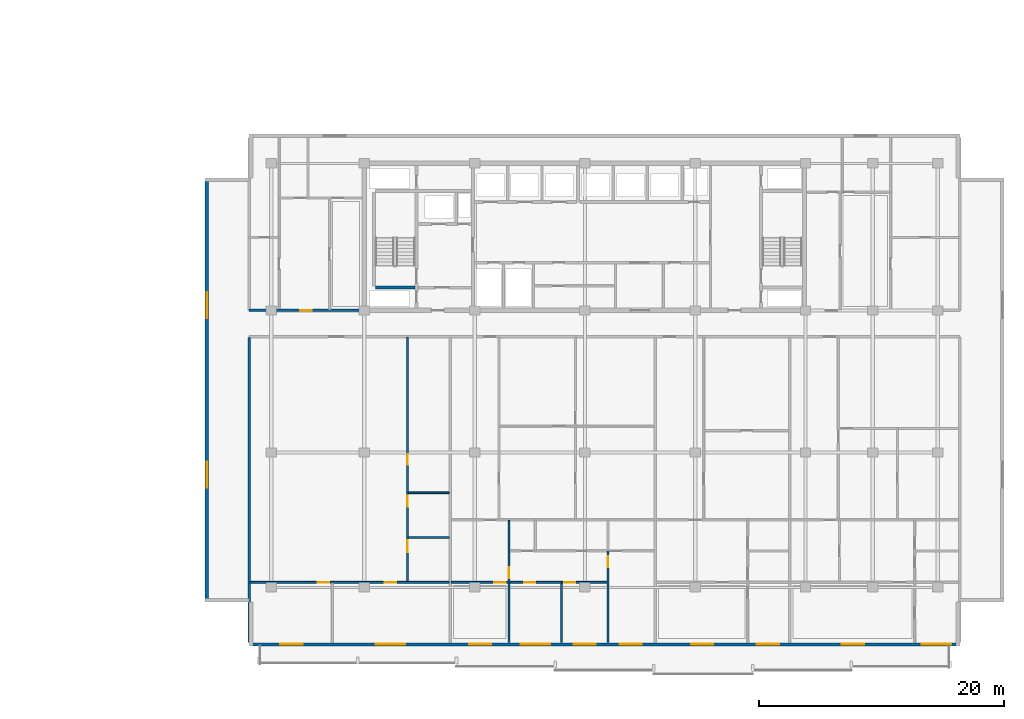
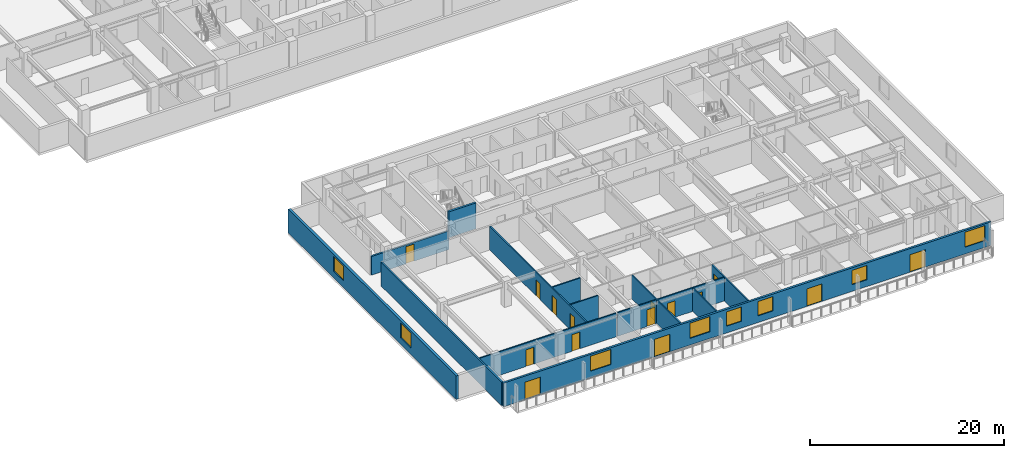
# One storey, part 4 of 22: 15 doors, 13 walls, 8 windows, 23 openings.
"""IFC4 building model written with IfcOpenShell, lengths in metres."""

import ifcopenshell
import ifcopenshell.guid

model = None  # the IFC model being written
_history = None  # IfcOwnerHistory: only IFC2X3 demands one
_inside = {}  # id of a spatial element -> (the spatial element, [elements in it])
_under = {}  # id of a project, library or spatial element -> (it, [spatial elements below it])
_declared = {}  # id of a project -> (the project, [libraries it declares])
_typed = {}  # id of a type object -> (the type object, [elements of that type])
_made_of = {}  # id of a material, layer set ... -> (it, [elements and type objects made of it])


def new_model(schema):
    """Start an empty IFC model of exactly this schema.

    Asked for "IFC4X3", IfcOpenShell would pick the latest addendum, in which some entities
    have other attributes; the version numbers below select the first issue.
    IFC2X3 requires an IfcOwnerHistory on every rooted entity: one is made here for all.
    """
    global model, _history
    if schema == "IFC4X3":
        model = ifcopenshell.file(schema_version=(4, 3, 0, 0))
    else:
        model = ifcopenshell.file(schema=schema)
    _inside.clear()
    _under.clear()
    _declared.clear()
    _typed.clear()
    _made_of.clear()
    _history = None
    if model.schema == "IFC2X3":
        org = make("IfcOrganization", Name="unknown")
        user = make(
            "IfcPersonAndOrganization",
            ThePerson=make("IfcPerson", FamilyName="unknown"),
            TheOrganization=org,
        )
        app = make(
            "IfcApplication",
            ApplicationDeveloper=org,
            Version="unknown",
            ApplicationFullName="unknown",
            ApplicationIdentifier="unknown",
        )
        _history = make(
            "IfcOwnerHistory",
            OwningUser=user,
            OwningApplication=app,
            ChangeAction="ADDED",
            CreationDate=0,
        )
    return model


def make(cls, **values):
    """One entity of the class cls with the attributes given. An attribute that is None is left unset."""
    return model.create_entity(
        cls, **{name: value for name, value in values.items() if value is not None}
    )


def rooted(cls, **values):
    """An entity with a GlobalId (a new one), such as an element, a storey or a relation."""
    return make(cls, GlobalId=ifcopenshell.guid.new(), OwnerHistory=_history, **values)


def si_unit(unit_type, name, prefix=None):
    """IfcSIUnit, for example si_unit("LENGTHUNIT", "METRE", prefix="MILLI")."""
    return make("IfcSIUnit", UnitType=unit_type, Prefix=prefix, Name=name)


def assignment(units):
    """IfcUnitAssignment: the units of a project."""
    return None if units is None else make("IfcUnitAssignment", Units=units)


def point(xyz):
    """IfcCartesianPoint."""
    return None if xyz is None else make("IfcCartesianPoint", Coordinates=xyz)


def direction(xyz):
    """IfcDirection."""
    return None if xyz is None else make("IfcDirection", DirectionRatios=xyz)


def frame(location, z_axis=None, x_axis=None):
    """IfcAxis2Placement3D, a coordinate frame: its origin and axes. An axis left out is left unset."""
    return make(
        "IfcAxis2Placement3D",
        Location=point(location),
        Axis=direction(z_axis),
        RefDirection=direction(x_axis),
    )


def frame_2d(location, x_axis=None):
    """IfcAxis2Placement2D, a coordinate frame in the plane: its origin and x axis."""
    return make(
        "IfcAxis2Placement2D", Location=point(location), RefDirection=direction(x_axis)
    )


def origin():
    """The frame at (0, 0, 0) with its axes left unset."""
    return frame((0.0, 0.0, 0.0))


def place(relative_to, where):
    """IfcLocalPlacement: puts the frame where relative to a parent placement (None: the world)."""
    return make(
        "IfcLocalPlacement", PlacementRelTo=relative_to, RelativePlacement=where
    )


def context(
    kind, dimensions, precision=None, world=None, true_north=None, identifier=None
):
    """IfcGeometricRepresentationContext, for example the 3D "Model" context."""
    return make(
        "IfcGeometricRepresentationContext",
        ContextIdentifier=identifier,
        ContextType=kind,
        CoordinateSpaceDimension=dimensions,
        Precision=precision,
        WorldCoordinateSystem=world,
        TrueNorth=true_north,
    )


def subcontext(parent, identifier, kind, view, scale=None):
    """IfcGeometricRepresentationSubContext, for example "Body" below "Model"."""
    return make(
        "IfcGeometricRepresentationSubContext",
        ContextIdentifier=identifier,
        ContextType=kind,
        ParentContext=parent,
        TargetScale=scale,
        TargetView=view,
    )


def project(units=None, contexts=None):
    """IfcProject with its units and contexts."""
    return rooted(
        "IfcProject",
        Name="project",
        RepresentationContexts=contexts,
        UnitsInContext=assignment(units),
    )


def spatial(cls, under=None, at=None, **own):
    """A site, building, storey or space (cls), placed at a placement, below another one or the project."""
    s = rooted(cls, ObjectPlacement=at, **own)
    if under is not None:
        _under.setdefault(under.id(), (under, []))[1].append(s)
    return s


def profile(cls, at=None, kind="AREA", **sizes):
    """A parametric profile (cls). Its sizes go by their IFC names, for example OverallWidth=200.0."""
    return make(cls, ProfileType=kind, Position=at, **sizes)


def rectangle(**sizes):
    """IfcRectangleProfileDef."""
    return profile("IfcRectangleProfileDef", **sizes)


def extrude(swept, where, along, depth):
    """IfcExtrudedAreaSolid: the profile swept, set in the frame where, extruded along a direction by depth."""
    return make(
        "IfcExtrudedAreaSolid",
        SweptArea=swept,
        Position=where,
        ExtrudedDirection=direction(along),
        Depth=depth,
    )


def shape(context_of_items, identifier, shape_type, items):
    """IfcShapeRepresentation: the items that make up one representation, for example the "Body"."""
    return make(
        "IfcShapeRepresentation",
        ContextOfItems=context_of_items,
        RepresentationIdentifier=identifier,
        RepresentationType=shape_type,
        Items=items,
    )


def material(Name=None, Category=None):
    """IfcMaterial."""
    return make("IfcMaterial", Name=Name, Category=Category)


def layer(
    of_material, thickness, ventilated=None, Name=None, Category=None, Priority=None
):
    """IfcMaterialLayer: one layer of a wall or slab, of a material (None: an air gap)."""
    return make(
        "IfcMaterialLayer",
        Material=of_material,
        LayerThickness=thickness,
        IsVentilated=ventilated,
        Name=Name,
        Category=Category,
        Priority=Priority,
    )


def layer_set(layers, Name=None):
    """IfcMaterialLayerSet."""
    return make("IfcMaterialLayerSet", MaterialLayers=layers, LayerSetName=Name)


def made_of(thing, what):
    """Note that an element or type object is made of a material, layer set ...; save() writes the relation."""
    if what is not None:
        _made_of.setdefault(what.id(), (what, []))[1].append(thing)
    return thing


def type_object(cls, material=None, **own):
    """A type object (cls), such as IfcWallType, which elements share."""
    return made_of(rooted(cls, **own), material)


def element(
    cls,
    number,
    at=None,
    inside=None,
    cuts=None,
    type_object=None,
    material=None,
    context=None,
    identifier="Body",
    shape_type=None,
    held_by="IfcProductDefinitionShape",
    body=None,
    shapes=None,
    **own,
):
    """One element of the class cls, such as IfcWall. Its Tag is "e" and its number.

    at: its placement. inside: the storey or other place that contains it. cuts: it is an
    opening in that element (IfcRelVoidsElement). A single representation is given by context,
    identifier, shape_type and body (its items); several are given by shapes. held_by: the class
    of the entity that holds the representations. save() writes the other relations.
    """
    e = rooted(cls, Tag="e%d" % number, ObjectPlacement=at, **own)
    if body is not None:
        shapes = [shape(context, identifier, shape_type, body)]
    if shapes is not None:
        e.Representation = make(held_by, Representations=shapes)
    if inside is not None:
        _inside.setdefault(inside.id(), (inside, []))[1].append(e)
    if cuts is not None:
        rooted(
            "IfcRelVoidsElement", RelatingBuildingElement=cuts, RelatedOpeningElement=e
        )
    if type_object is not None:
        _typed.setdefault(type_object.id(), (type_object, []))[1].append(e)
    return made_of(e, material)


def fill(opening, filler):
    """IfcRelFillsElement: the door or window that sits in an opening."""
    return rooted(
        "IfcRelFillsElement",
        RelatingOpeningElement=opening,
        RelatedBuildingElement=filler,
    )


def aggregate(whole, parts):
    """IfcRelAggregates: a whole, such as a stair, and the parts it consists of."""
    return rooted("IfcRelAggregates", RelatingObject=whole, RelatedObjects=parts)


def save(model, path):
    """Write the relations noted so far, then the file.

    IfcRelAggregates (storeys below a building ...), IfcRelContainedInSpatialStructure (elements
    in a storey), IfcRelDefinesByType, IfcRelAssociatesMaterial and IfcRelDeclares: one each for
    every whole, place, type object, material and project.
    """
    for whole, parts in _under.values():
        aggregate(whole, parts)
    for where, things in _inside.values():
        rooted(
            "IfcRelContainedInSpatialStructure",
            RelatedElements=things,
            RelatingStructure=where,
        )
    for kind, things in _typed.values():
        rooted("IfcRelDefinesByType", RelatedObjects=things, RelatingType=kind)
    for what, things in _made_of.values():
        rooted("IfcRelAssociatesMaterial", RelatedObjects=things, RelatingMaterial=what)
    for by, libraries in _declared.values():
        rooted("IfcRelDeclares", RelatingContext=by, RelatedDefinitions=libraries)
    model.write(path)


model = new_model("IFC4")

# Units and contexts
model_context = context("Model", 3, precision=1e-05, world=origin(), true_north=direction((0.0, 1.0)))
body_context = subcontext(model_context, "Body", "Model", "MODEL_VIEW")
ifc_project = project(units=[si_unit("LENGTHUNIT", "METRE"), si_unit("AREAUNIT", "SQUARE_METRE"), si_unit("VOLUMEUNIT", "CUBIC_METRE"), si_unit("PLANEANGLEUNIT", "RADIAN"), si_unit("MASSUNIT", "GRAM", prefix="KILO")], contexts=[model_context])

# Site, building, storey
site_placement = place(None, origin())
site = spatial("IfcSite", under=ifc_project, at=site_placement, CompositionType="ELEMENT")
building_placement = place(site_placement, origin())
building = spatial("IfcBuilding", under=site, at=building_placement, Name="Korimba Cascade Residences", CompositionType="ELEMENT")
storey_placement = place(building_placement, frame((0.0, 0.0, 90.550048828125)))
storey = spatial("IfcBuildingStorey", under=building, at=storey_placement, Name="L25", CompositionType="ELEMENT", Elevation=90.550048828125)

# Wall, openings, doors, windows
ifc_material_1 = material(Name="Precast concrete C40/50", Category="concrete")
ifc_layer_1 = layer(ifc_material_1, 0.25)
ifc_layer_set_1 = layer_set([ifc_layer_1], Name="Precast concrete C40/50")
wall_type_1 = type_object("IfcWallType", Name="EW-LOG-250", PredefinedType="STANDARD", material=ifc_layer_set_1)
wall_1_placement = place(storey_placement, frame((72.699951171875, -8.85009765625, 0.0), z_axis=(0.0, 0.0, 1.0), x_axis=(1.0, 0.0, 0.0)))
wall_1 = element("IfcWall", 1, at=wall_1_placement, inside=storey, type_object=wall_type_1, Name="L25 T2 Perimeter Stone Wall E00", PredefinedType="STANDARD", context=body_context, shape_type="SweptSolid", body=[
    extrude(rectangle(XDim=58.0, YDim=0.25, at=frame_2d((29.0, 0.0))), origin(), (0.0, 0.0, 1.0), 2.969970703125),
])
opening_1_placement = place(wall_1_placement, frame((2.5546875, 0.0, 0.0)))
opening_1 = element("IfcOpeningElement", 2, at=opening_1_placement, cuts=wall_1, Name="Opening D-LG1", PredefinedType="OPENING", context=body_context, shape_type="SweptSolid", body=[
    extrude(rectangle(XDim=1.800048828125, YDim=2.199951171875, at=frame_2d((0.89990234375, 1.10009765625))), frame((0.0, 0.135009765625, 0.0), z_axis=(0.0, -1.0, 0.0), x_axis=(1.0, 0.0, 0.0)), (0.0, 0.0, 1.0), 0.27001953125),
])
opening_2_placement = place(wall_1_placement, frame((10.343994140625, 0.0, 0.85009765625)))
opening_2 = element("IfcOpeningElement", 3, at=opening_2_placement, cuts=wall_1, Name="Opening W-01", PredefinedType="OPENING", context=body_context, shape_type="SweptSolid", body=[
    extrude(rectangle(XDim=2.39990234375, YDim=1.89990234375, at=frame_2d((1.199951171875, 0.949951171875))), frame((0.0, 0.135009765625, 0.0), z_axis=(0.0, -1.0, 0.0), x_axis=(1.0, 0.0, 0.0)), (0.0, 0.0, 1.0), 0.27001953125),
])
opening_3_placement = place(wall_1_placement, frame((22.151611328125, 0.0, 0.85009765625)))
opening_3 = element("IfcOpeningElement", 4, at=opening_3_placement, cuts=wall_1, Name="Opening W-01", PredefinedType="OPENING", context=body_context, shape_type="SweptSolid", body=[
    extrude(rectangle(XDim=2.39990234375, YDim=1.89990234375, at=frame_2d((1.199951171875, 0.949951171875))), frame((0.0, 0.135009765625, 0.0), z_axis=(0.0, -1.0, 0.0), x_axis=(1.0, 0.0, 0.0)), (0.0, 0.0, 1.0), 0.27001953125),
])
opening_4_placement = place(wall_1_placement, frame((26.4873046875, 0.0, 0.85009765625)))
opening_4 = element("IfcOpeningElement", 5, at=opening_4_placement, cuts=wall_1, Name="Opening W-02", PredefinedType="OPENING", context=body_context, shape_type="SweptSolid", body=[
    extrude(rectangle(XDim=1.800048828125, YDim=1.800048828125, at=frame_2d((0.89990234375, 0.89990234375))), frame((0.0, 0.135009765625, 0.0), z_axis=(0.0, -1.0, 0.0), x_axis=(1.0, 0.0, 0.0)), (0.0, 0.0, 1.0), 0.27001953125),
])
opening_5_placement = place(wall_1_placement, frame((17.9736328125, 0.0, 0.0)))
opening_5 = element("IfcOpeningElement", 6, at=opening_5_placement, cuts=wall_1, Name="Opening D-LG1", PredefinedType="OPENING", context=body_context, shape_type="SweptSolid", body=[
    extrude(rectangle(XDim=1.800048828125, YDim=2.199951171875, at=frame_2d((0.89990234375, 1.10009765625))), frame((0.0, 0.135009765625, 0.0), z_axis=(0.0, -1.0, 0.0), x_axis=(1.0, 0.0, 0.0)), (0.0, 0.0, 1.0), 0.27001953125),
])
opening_6_placement = place(wall_1_placement, frame((30.24560546875, 0.0, 0.85009765625)))
opening_6 = element("IfcOpeningElement", 7, at=opening_6_placement, cuts=wall_1, Name="Opening W-02", PredefinedType="OPENING", context=body_context, shape_type="SweptSolid", body=[
    extrude(rectangle(XDim=1.800048828125, YDim=1.800048828125, at=frame_2d((0.89990234375, 0.89990234375))), frame((0.0, 0.135009765625, 0.0), z_axis=(0.0, -1.0, 0.0), x_axis=(1.0, 0.0, 0.0)), (0.0, 0.0, 1.0), 0.27001953125),
])
opening_7_placement = place(wall_1_placement, frame((36.07177734375, 0.0, 0.0)))
opening_7 = element("IfcOpeningElement", 8, at=opening_7_placement, cuts=wall_1, Name="Opening D-LG1", PredefinedType="OPENING", context=body_context, shape_type="SweptSolid", body=[
    extrude(rectangle(XDim=1.800048828125, YDim=2.199951171875, at=frame_2d((0.89990234375, 1.10009765625))), frame((0.0, 0.135009765625, 0.0), z_axis=(0.0, -1.0, 0.0), x_axis=(1.0, 0.0, 0.0)), (0.0, 0.0, 1.0), 0.27001953125),
])
opening_8_placement = place(wall_1_placement, frame((41.4423828125, 0.0, 0.85009765625)))
opening_8 = element("IfcOpeningElement", 9, at=opening_8_placement, cuts=wall_1, Name="Opening W-02", PredefinedType="OPENING", context=body_context, shape_type="SweptSolid", body=[
    extrude(rectangle(XDim=1.800048828125, YDim=1.800048828125, at=frame_2d((0.89990234375, 0.89990234375))), frame((0.0, 0.135009765625, 0.0), z_axis=(0.0, -1.0, 0.0), x_axis=(1.0, 0.0, 0.0)), (0.0, 0.0, 1.0), 0.27001953125),
])
opening_9_placement = place(wall_1_placement, frame((48.376220703125, 0.0, 0.0)))
opening_9 = element("IfcOpeningElement", 10, at=opening_9_placement, cuts=wall_1, Name="Opening D-LG1", PredefinedType="OPENING", context=body_context, shape_type="SweptSolid", body=[
    extrude(rectangle(XDim=1.800048828125, YDim=2.199951171875, at=frame_2d((0.89990234375, 1.10009765625))), frame((0.0, 0.135009765625, 0.0), z_axis=(0.0, -1.0, 0.0), x_axis=(1.0, 0.0, 0.0)), (0.0, 0.0, 1.0), 0.27001953125),
])
opening_10_placement = place(wall_1_placement, frame((54.89990234375, 0.0, 0.85009765625)))
opening_10 = element("IfcOpeningElement", 11, at=opening_10_placement, cuts=wall_1, Name="Opening W-01", PredefinedType="OPENING", context=body_context, shape_type="SweptSolid", body=[
    extrude(rectangle(XDim=2.39990234375, YDim=1.89990234375, at=frame_2d((1.199951171875, 0.949951171875))), frame((0.0, 0.135009765625, 0.0), z_axis=(0.0, -1.0, 0.0), x_axis=(1.0, 0.0, 0.0)), (0.0, 0.0, 1.0), 0.27001953125),
])
ifc_material_2 = material(Name="Glazed Aluminium Loggia Sliding Door", Category="aluminium")
door_type_1 = type_object("IfcDoorType", Name="DR-EXT-LOG", OperationType="NOTDEFINED", PredefinedType="DOOR", material=ifc_material_2)
door_1_placement = place(opening_1_placement, origin())
door_1 = element("IfcDoor", 12, at=door_1_placement, inside=storey, type_object=door_type_1, Name="L25 T2 Loggia Sliding Door 3", OperationType="SLIDING_TO_RIGHT", OverallHeight=2.199951171875, OverallWidth=1.800048828125, PredefinedType="DOOR", context=body_context, shape_type="SweptSolid", body=[
    extrude(rectangle(XDim=1.800048828125, YDim=2.199951171875, at=frame_2d((0.89990234375, 1.10009765625))), frame((0.0, 0.02490234375, 0.0), z_axis=(0.0, -1.0, 0.0), x_axis=(1.0, 0.0, 0.0)), (0.0, 0.0, 1.0), 0.050048828125),
])
fill(opening_1, door_1)
door_2_placement = place(opening_5_placement, origin())
door_2 = element("IfcDoor", 13, at=door_2_placement, inside=storey, type_object=door_type_1, Name="L25 T2 Loggia Sliding Door 7", OperationType="SLIDING_TO_RIGHT", OverallHeight=2.199951171875, OverallWidth=1.800048828125, PredefinedType="DOOR", context=body_context, shape_type="SweptSolid", body=[
    extrude(rectangle(XDim=1.800048828125, YDim=2.199951171875, at=frame_2d((0.89990234375, 1.10009765625))), frame((0.0, 0.02490234375, 0.0), z_axis=(0.0, -1.0, 0.0), x_axis=(1.0, 0.0, 0.0)), (0.0, 0.0, 1.0), 0.050048828125),
])
fill(opening_5, door_2)
door_3_placement = place(opening_7_placement, origin())
door_3 = element("IfcDoor", 14, at=door_3_placement, inside=storey, type_object=door_type_1, Name="L25 T2 Loggia Sliding Door 9", OperationType="SLIDING_TO_RIGHT", OverallHeight=2.199951171875, OverallWidth=1.800048828125, PredefinedType="DOOR", context=body_context, shape_type="SweptSolid", body=[
    extrude(rectangle(XDim=1.800048828125, YDim=2.199951171875, at=frame_2d((0.89990234375, 1.10009765625))), frame((0.0, 0.02490234375, 0.0), z_axis=(0.0, -1.0, 0.0), x_axis=(1.0, 0.0, 0.0)), (0.0, 0.0, 1.0), 0.050048828125),
])
fill(opening_7, door_3)
door_4_placement = place(opening_9_placement, origin())
door_4 = element("IfcDoor", 15, at=door_4_placement, inside=storey, type_object=door_type_1, Name="L25 T2 Loggia Sliding Door 11", OperationType="SLIDING_TO_RIGHT", OverallHeight=2.199951171875, OverallWidth=1.800048828125, PredefinedType="DOOR", context=body_context, shape_type="SweptSolid", body=[
    extrude(rectangle(XDim=1.800048828125, YDim=2.199951171875, at=frame_2d((0.89990234375, 1.10009765625))), frame((0.0, 0.02490234375, 0.0), z_axis=(0.0, -1.0, 0.0), x_axis=(1.0, 0.0, 0.0)), (0.0, 0.0, 1.0), 0.050048828125),
])
fill(opening_9, door_4)
ifc_material_3 = material(Name="Double-Glazed Aluminium Window", Category="aluminium")
window_type_1 = type_object("IfcWindowType", Name="WIN-BED-1800", PartitioningType="SINGLE_PANEL", PredefinedType="WINDOW", material=ifc_material_3)
window_1_placement = place(opening_4_placement, origin())
window_1 = element("IfcWindow", 16, at=window_1_placement, inside=storey, type_object=window_type_1, Name="L25 T2 South Facade Window 6", OverallHeight=1.800048828125, OverallWidth=1.800048828125, PartitioningType="SINGLE_PANEL", PredefinedType="WINDOW", context=body_context, shape_type="SweptSolid", body=[
    extrude(rectangle(XDim=1.800048828125, YDim=1.800048828125, at=frame_2d((0.89990234375, 0.89990234375))), frame((0.0, 0.030029296875, 0.0), z_axis=(0.0, -1.0, 0.0), x_axis=(1.0, 0.0, 0.0)), (0.0, 0.0, 1.0), 0.06005859375),
])
fill(opening_4, window_1)
window_2_placement = place(opening_6_placement, origin())
window_2 = element("IfcWindow", 17, at=window_2_placement, inside=storey, type_object=window_type_1, Name="L25 T2 South Facade Window 8", OverallHeight=1.800048828125, OverallWidth=1.800048828125, PartitioningType="SINGLE_PANEL", PredefinedType="WINDOW", context=body_context, shape_type="SweptSolid", body=[
    extrude(rectangle(XDim=1.800048828125, YDim=1.800048828125, at=frame_2d((0.89990234375, 0.89990234375))), frame((0.0, 0.030029296875, 0.0), z_axis=(0.0, -1.0, 0.0), x_axis=(1.0, 0.0, 0.0)), (0.0, 0.0, 1.0), 0.06005859375),
])
fill(opening_6, window_2)
window_3_placement = place(opening_8_placement, origin())
window_3 = element("IfcWindow", 18, at=window_3_placement, inside=storey, type_object=window_type_1, Name="L25 T2 South Facade Window 10", OverallHeight=1.800048828125, OverallWidth=1.800048828125, PartitioningType="SINGLE_PANEL", PredefinedType="WINDOW", context=body_context, shape_type="SweptSolid", body=[
    extrude(rectangle(XDim=1.800048828125, YDim=1.800048828125, at=frame_2d((0.89990234375, 0.89990234375))), frame((0.0, 0.030029296875, 0.0), z_axis=(0.0, -1.0, 0.0), x_axis=(1.0, 0.0, 0.0)), (0.0, 0.0, 1.0), 0.06005859375),
])
fill(opening_8, window_3)
window_type_2 = type_object("IfcWindowType", Name="WIN-RES-2400", PartitioningType="DOUBLE_PANEL_VERTICAL", PredefinedType="WINDOW", material=ifc_material_3)
window_4_placement = place(opening_2_placement, origin())
window_4 = element("IfcWindow", 19, at=window_4_placement, inside=storey, type_object=window_type_2, Name="L25 T2 South Facade Window 4", OverallHeight=1.89990234375, OverallWidth=2.39990234375, PartitioningType="DOUBLE_PANEL_VERTICAL", PredefinedType="WINDOW", context=body_context, shape_type="SweptSolid", body=[
    extrude(rectangle(XDim=2.39990234375, YDim=1.89990234375, at=frame_2d((1.199951171875, 0.949951171875))), frame((0.0, 0.030029296875, 0.0), z_axis=(0.0, -1.0, 0.0), x_axis=(1.0, 0.0, 0.0)), (0.0, 0.0, 1.0), 0.06005859375),
])
fill(opening_2, window_4)
window_5_placement = place(opening_3_placement, origin())
window_5 = element("IfcWindow", 20, at=window_5_placement, inside=storey, type_object=window_type_2, Name="L25 T2 South Facade Window 5", OverallHeight=1.89990234375, OverallWidth=2.39990234375, PartitioningType="DOUBLE_PANEL_VERTICAL", PredefinedType="WINDOW", context=body_context, shape_type="SweptSolid", body=[
    extrude(rectangle(XDim=2.39990234375, YDim=1.89990234375, at=frame_2d((1.199951171875, 0.949951171875))), frame((0.0, 0.030029296875, 0.0), z_axis=(0.0, -1.0, 0.0), x_axis=(1.0, 0.0, 0.0)), (0.0, 0.0, 1.0), 0.06005859375),
])
fill(opening_3, window_5)
window_6_placement = place(opening_10_placement, origin())
window_6 = element("IfcWindow", 21, at=window_6_placement, inside=storey, type_object=window_type_2, Name="L25 T2 South Facade Window 12", OverallHeight=1.89990234375, OverallWidth=2.39990234375, PartitioningType="DOUBLE_PANEL_VERTICAL", PredefinedType="WINDOW", context=body_context, shape_type="SweptSolid", body=[
    extrude(rectangle(XDim=2.39990234375, YDim=1.89990234375, at=frame_2d((1.199951171875, 0.949951171875))), frame((0.0, 0.030029296875, 0.0), z_axis=(0.0, -1.0, 0.0), x_axis=(1.0, 0.0, 0.0)), (0.0, 0.0, 1.0), 0.06005859375),
])
fill(opening_10, window_6)

# Wall, openings, windows
ifc_layer_2 = layer(ifc_material_1, 0.300048828125)
ifc_layer_set_2 = layer_set([ifc_layer_2], Name="Precast concrete C40/50")
wall_type_2 = type_object("IfcWallType", Name="EW-STONE-300", PredefinedType="STANDARD", material=ifc_layer_set_2)
wall_2_placement = place(storey_placement, frame((69.25, 29.199951171875, 0.0), z_axis=(0.0, 0.0, 1.0), x_axis=(0.0, -1.0, 0.0)))
wall_2 = element("IfcWall", 22, at=wall_2_placement, inside=storey, type_object=wall_type_2, Name="L25 T2 Perimeter Stone Wall E09", PredefinedType="STANDARD", context=body_context, shape_type="SweptSolid", body=[
    extrude(rectangle(XDim=34.599853515625, YDim=0.300048828125, at=frame_2d((17.2998046875, 0.0))), origin(), (0.0, 0.0, 1.0), 2.969970703125),
])
opening_11_placement = place(wall_2_placement, frame((9.330078125, 0.0, 0.85009765625)))
opening_11 = element("IfcOpeningElement", 23, at=opening_11_placement, cuts=wall_2, Name="Opening W-03", PredefinedType="OPENING", context=body_context, shape_type="SweptSolid", body=[
    extrude(rectangle(XDim=2.10009765625, YDim=1.85009765625, at=frame_2d((1.050048828125, 0.925048828125))), frame((0.0, 0.16015625, 0.0), z_axis=(0.0, -1.0, 0.0), x_axis=(1.0, 0.0, 0.0)), (0.0, 0.0, 1.0), 0.320068359375),
])
opening_12_placement = place(wall_2_placement, frame((23.169921875, 0.0, 0.85009765625)))
opening_12 = element("IfcOpeningElement", 24, at=opening_12_placement, cuts=wall_2, Name="Opening W-03", PredefinedType="OPENING", context=body_context, shape_type="SweptSolid", body=[
    extrude(rectangle(XDim=2.10009765625, YDim=1.85009765625, at=frame_2d((1.050048828125, 0.925048828125))), frame((0.0, 0.16015625, 0.0), z_axis=(0.0, -1.0, 0.0), x_axis=(1.0, 0.0, 0.0)), (0.0, 0.0, 1.0), 0.320068359375),
])
window_type_3 = type_object("IfcWindowType", Name="WIN-CRN-2100", PartitioningType="DOUBLE_PANEL_HORIZONTAL", PredefinedType="WINDOW", material=ifc_material_3)
window_7_placement = place(opening_11_placement, origin())
window_7 = element("IfcWindow", 25, at=window_7_placement, inside=storey, type_object=window_type_3, Name="L25 T2 End View Window 9.1", OverallHeight=1.85009765625, OverallWidth=2.10009765625, PartitioningType="DOUBLE_PANEL_HORIZONTAL", PredefinedType="WINDOW", context=body_context, shape_type="SweptSolid", body=[
    extrude(rectangle(XDim=2.10009765625, YDim=1.85009765625, at=frame_2d((1.050048828125, 0.925048828125))), frame((0.0, 0.030029296875, 0.0), z_axis=(0.0, -1.0, 0.0), x_axis=(1.0, 0.0, 0.0)), (0.0, 0.0, 1.0), 0.06005859375),
])
fill(opening_11, window_7)
window_8_placement = place(opening_12_placement, origin())
window_8 = element("IfcWindow", 26, at=window_8_placement, inside=storey, type_object=window_type_3, Name="L25 T2 End View Window 9.2", OverallHeight=1.85009765625, OverallWidth=2.10009765625, PartitioningType="DOUBLE_PANEL_HORIZONTAL", PredefinedType="WINDOW", context=body_context, shape_type="SweptSolid", body=[
    extrude(rectangle(XDim=2.10009765625, YDim=1.85009765625, at=frame_2d((1.050048828125, 0.925048828125))), frame((0.0, 0.030029296875, 0.0), z_axis=(0.0, -1.0, 0.0), x_axis=(1.0, 0.0, 0.0)), (0.0, 0.0, 1.0), 0.06005859375),
])
fill(opening_12, window_8)

# Wall, opening, door
ifc_layer_3 = layer(ifc_material_1, 0.199951171875)
ifc_layer_set_3 = layer_set([ifc_layer_3], Name="Precast concrete C40/50")
wall_type_3 = type_object("IfcWallType", Name="WAL-IT-200", PredefinedType="PARTITIONING", material=ifc_layer_set_3)
wall_3_placement = place(storey_placement, frame((72.699951171875, 18.39990234375, 0.0), z_axis=(0.0, 0.0, 1.0), x_axis=(1.0, 0.0, 0.0)))
wall_3 = element("IfcWall", 27, at=wall_3_placement, inside=storey, type_object=wall_type_3, Name="L25 Partition Wall WAL-L25-T2-FW-S", PredefinedType="PARTITIONING", context=body_context, shape_type="SweptSolid", body=[
    extrude(rectangle(XDim=9.25, YDim=0.199951171875, at=frame_2d((4.625, 0.0))), origin(), (0.0, 0.0, 1.0), 2.357666015625),
])
opening_13_placement = place(wall_3_placement, frame((4.14990234375, 0.0, 0.0)))
opening_13 = element("IfcOpeningElement", 28, at=opening_13_placement, cuts=wall_3, Name="Opening D-UN1", PredefinedType="OPENING", context=body_context, shape_type="SweptSolid", body=[
    extrude(rectangle(XDim=0.949951171875, YDim=2.14990234375, at=frame_2d((0.47509765625, 1.074951171875))), frame((0.0, 0.10986328125, 0.0), z_axis=(0.0, -1.0, 0.0), x_axis=(1.0, 0.0, 0.0)), (0.0, 0.0, 1.0), 0.219970703125),
])
ifc_material_4 = material(Name="Fire-Rated Hardwood Apartment Entrance Door", Category="wood")
door_type_2 = type_object("IfcDoorType", Name="DR-FD60-950", OperationType="NOTDEFINED", PredefinedType="DOOR", material=ifc_material_4)
door_5_placement = place(opening_13_placement, origin())
door_5 = element("IfcDoor", 29, at=door_5_placement, inside=storey, type_object=door_type_2, Name="L25-T2-FW Entrance Door", OperationType="SINGLE_SWING_RIGHT", OverallHeight=2.14990234375, OverallWidth=0.949951171875, PredefinedType="DOOR", context=body_context, shape_type="SweptSolid", body=[
    extrude(rectangle(XDim=0.949951171875, YDim=2.14990234375, at=frame_2d((0.47509765625, 1.074951171875))), frame((0.0, 0.02490234375, 0.0), z_axis=(0.0, -1.0, 0.0), x_axis=(1.0, 0.0, 0.0)), (0.0, 0.0, 1.0), 0.050048828125),
])
fill(opening_13, door_5)

# Walls
wall_4_placement = place(storey_placement, frame((72.699951171875, -8.699951171875, 0.0), z_axis=(0.0, 0.0, 1.0), x_axis=(0.0, 1.0, 0.0)))
element("IfcWall", 30, at=wall_4_placement, inside=storey, type_object=wall_type_3, Name="L25 Partition Wall WAL-L25-T2-BNDWL", PredefinedType="PARTITIONING", context=body_context, shape_type="SweptSolid", body=[
    extrude(rectangle(XDim=24.869873046875, YDim=0.199951171875, at=frame_2d((12.43505859375, 0.0))), origin(), (0.0, 0.0, 1.0), 2.969970703125),
])
ifc_material_5 = material(Name="Insulated Acoustic Stud Partition", Category="gypsum")
ifc_layer_4 = layer(ifc_material_5, 0.14990234375)
ifc_layer_set_4 = layer_set([ifc_layer_4], Name="Insulated Acoustic Stud Partition")
wall_type_4 = type_object("IfcWallType", Name="WAL-PART-150", PredefinedType="PARTITIONING", material=ifc_layer_set_4)
for number, where, z_axis, x_axis, name in (
    (31, (85.6787109375, -0.1298828125, 0.0), (0.0, 0.0, 1.0), (1.0, 0.0, 0.0), "L25 Partition Wall WAL-L25-T2-U01-WCH"),
    (32, (85.6787109375, 3.52001953125, 0.0), (0.0, 0.0, 1.0), (1.0, 0.0, 0.0), "L25 Partition Wall WAL-L25-T2-U01-WCH2"),
):
    element("IfcWall", number, at=place(storey_placement, frame(where, z_axis=z_axis, x_axis=x_axis)), inside=storey, type_object=wall_type_4, Name=name, PredefinedType="PARTITIONING", context=body_context, shape_type="SweptSolid", body=[
        extrude(rectangle(XDim=3.360107421875, YDim=0.14990234375, at=frame_2d((1.68017578125, 0.0))), origin(), (0.0, 0.0, 1.0), 2.969970703125),
    ])

# Wall, openings, doors
wall_5_placement = place(storey_placement, frame((85.61865234375, -3.739990234375, 0.0), z_axis=(0.0, 0.0, 1.0), x_axis=(0.0, 1.0, 0.0)))
wall_5 = element("IfcWall", 33, at=wall_5_placement, inside=storey, type_object=wall_type_4, Name="L25 Partition Wall WAL-L25-T2-U01-WCV", PredefinedType="PARTITIONING", context=body_context, shape_type="SweptSolid", body=[
    extrude(rectangle(XDim=19.929931640625, YDim=0.14990234375, at=frame_2d((9.96484375, 0.0))), origin(), (0.0, 0.0, 1.0), 2.969970703125),
])
opening_14_placement = place(wall_5_placement, frame((2.406005859375, 0.0, 0.0)))
opening_14 = element("IfcOpeningElement", 34, at=opening_14_placement, cuts=wall_5, Name="Opening D-AC1", PredefinedType="OPENING", context=body_context, shape_type="SweptSolid", body=[
    extrude(rectangle(XDim=0.9599609375, YDim=2.10009765625, at=frame_2d((0.47998046875, 1.050048828125))), frame((0.0, 0.0849609375, 0.0), z_axis=(0.0, -1.0, 0.0), x_axis=(1.0, 0.0, 0.0)), (0.0, 0.0, 1.0), 0.169921875),
])
opening_15_placement = place(wall_5_placement, frame((6.132568359375, 0.0, 0.0)))
opening_15 = element("IfcOpeningElement", 35, at=opening_15_placement, cuts=wall_5, Name="Opening D-IN2", PredefinedType="OPENING", context=body_context, shape_type="SweptSolid", body=[
    extrude(rectangle(XDim=0.8798828125, YDim=2.06005859375, at=frame_2d((0.43994140625, 1.030029296875))), frame((0.0, 0.0849609375, 0.0), z_axis=(0.0, -1.0, 0.0), x_axis=(1.0, 0.0, 0.0)), (0.0, 0.0, 1.0), 0.169921875),
])
opening_16_placement = place(wall_5_placement, frame((9.544921875, 0.0, 0.0)))
opening_16 = element("IfcOpeningElement", 36, at=opening_16_placement, cuts=wall_5, Name="Opening D-BT1", PredefinedType="OPENING", context=body_context, shape_type="SweptSolid", body=[
    extrude(rectangle(XDim=0.840087890625, YDim=2.0400390625, at=frame_2d((0.419921875, 1.02001953125))), frame((0.0, 0.0849609375, 0.0), z_axis=(0.0, -1.0, 0.0), x_axis=(1.0, 0.0, 0.0)), (0.0, 0.0, 1.0), 0.169921875),
])
ifc_material_6 = material(Name="Accessible Acoustic Timber WC Door", Category="wood")
door_type_3 = type_object("IfcDoorType", Name="DR-ACC-950", OperationType="NOTDEFINED", PredefinedType="DOOR", material=ifc_material_6)
door_6_placement = place(opening_14_placement, origin())
door_6 = element("IfcDoor", 37, at=door_6_placement, inside=storey, type_object=door_type_3, Name="L25-T2-U01 Accessible WC Door", OperationType="SINGLE_SWING_LEFT", OverallHeight=2.10009765625, OverallWidth=0.9599609375, PredefinedType="DOOR", context=body_context, shape_type="SweptSolid", body=[
    extrude(rectangle(XDim=0.9599609375, YDim=2.10009765625, at=frame_2d((0.47998046875, 1.050048828125))), frame((0.0, 0.02490234375, 0.0), z_axis=(0.0, -1.0, 0.0), x_axis=(1.0, 0.0, 0.0)), (0.0, 0.0, 1.0), 0.050048828125),
])
fill(opening_14, door_6)
ifc_material_7 = material(Name="Moisture-Resistant Bathroom Timber Door", Category="wood")
door_type_4 = type_object("IfcDoorType", Name="DR-INT-850", OperationType="NOTDEFINED", PredefinedType="DOOR", material=ifc_material_7)
door_7_placement = place(opening_16_placement, origin())
door_7 = element("IfcDoor", 38, at=door_7_placement, inside=storey, type_object=door_type_4, Name="L25-T2-U01 Suite Store Door", OperationType="SINGLE_SWING_LEFT", OverallHeight=2.0400390625, OverallWidth=0.840087890625, PredefinedType="DOOR", context=body_context, shape_type="SweptSolid", body=[
    extrude(rectangle(XDim=0.840087890625, YDim=2.0400390625, at=frame_2d((0.419921875, 1.02001953125))), frame((0.0, 0.02490234375, 0.0), z_axis=(0.0, -1.0, 0.0), x_axis=(1.0, 0.0, 0.0)), (0.0, 0.0, 1.0), 0.050048828125),
])
fill(opening_16, door_7)
ifc_material_8 = material(Name="Acoustic Timber Bedroom Door", Category="wood")
door_type_5 = type_object("IfcDoorType", Name="DR-INT-880", OperationType="NOTDEFINED", PredefinedType="DOOR", material=ifc_material_8)
door_8_placement = place(opening_15_placement, origin())
door_8 = element("IfcDoor", 39, at=door_8_placement, inside=storey, type_object=door_type_5, Name="L25-T2-U01 Restroom WC Door", OperationType="SINGLE_SWING_RIGHT", OverallHeight=2.06005859375, OverallWidth=0.8798828125, PredefinedType="DOOR", context=body_context, shape_type="SweptSolid", body=[
    extrude(rectangle(XDim=0.8798828125, YDim=2.06005859375, at=frame_2d((0.43994140625, 1.030029296875))), frame((0.0, 0.02490234375, 0.0), z_axis=(0.0, -1.0, 0.0), x_axis=(1.0, 0.0, 0.0)), (0.0, 0.0, 1.0), 0.050048828125),
])
fill(opening_15, door_8)

wall_6_placement = place(storey_placement, frame((72.780029296875, -3.800048828125, 0.0), z_axis=(0.0, 0.0, 1.0), x_axis=(1.0, 0.0, 0.0)))
wall_6 = element("IfcWall", 40, at=wall_6_placement, inside=storey, type_object=wall_type_4, Name="L25 Partition Wall WAL-L25-T2-U01-HZ", PredefinedType="PARTITIONING", context=body_context, shape_type="SweptSolid", body=[
    extrude(rectangle(XDim=16.2587890625, YDim=0.14990234375, at=frame_2d((8.12939453125, 0.0))), origin(), (0.0, 0.0, 1.0), 2.969970703125),
])
opening_17_placement = place(wall_6_placement, frame((5.519287109375, 0.0, 0.0)))
opening_17 = element("IfcOpeningElement", 41, at=opening_17_placement, cuts=wall_6, Name="Opening D-IN0", PredefinedType="OPENING", context=body_context, shape_type="SweptSolid", body=[
    extrude(rectangle(XDim=0.93994140625, YDim=2.10009765625, at=frame_2d((0.469970703125, 1.050048828125))), frame((0.0, 0.0849609375, 0.0), z_axis=(0.0, -1.0, 0.0), x_axis=(1.0, 0.0, 0.0)), (0.0, 0.0, 1.0), 0.169921875),
])
opening_18_placement = place(wall_6_placement, frame((10.9921875, 0.0, 0.0)))
opening_18 = element("IfcOpeningElement", 42, at=opening_18_placement, cuts=wall_6, Name="Opening D-IN0", PredefinedType="OPENING", context=body_context, shape_type="SweptSolid", body=[
    extrude(rectangle(XDim=0.93994140625, YDim=2.10009765625, at=frame_2d((0.469970703125, 1.050048828125))), frame((0.0, 0.0849609375, 0.0), z_axis=(0.0, -1.0, 0.0), x_axis=(1.0, 0.0, 0.0)), (0.0, 0.0, 1.0), 0.169921875),
])
ifc_material_9 = material(Name="Acoustic Timber Living Archway Door", Category="wood")
door_type_6 = type_object("IfcDoorType", Name="DR-INT-950", OperationType="NOTDEFINED", PredefinedType="DOOR", material=ifc_material_9)
door_9_placement = place(opening_17_placement, origin())
door_9 = element("IfcDoor", 43, at=door_9_placement, inside=storey, type_object=door_type_6, Name="L25-T2-U01 Executive Co-Working Office Door", OperationType="SINGLE_SWING_RIGHT", OverallHeight=2.10009765625, OverallWidth=0.93994140625, PredefinedType="DOOR", context=body_context, shape_type="SweptSolid", body=[
    extrude(rectangle(XDim=0.93994140625, YDim=2.10009765625, at=frame_2d((0.469970703125, 1.050048828125))), frame((0.0, 0.02490234375, 0.0), z_axis=(0.0, -1.0, 0.0), x_axis=(1.0, 0.0, 0.0)), (0.0, 0.0, 1.0), 0.050048828125),
])
fill(opening_17, door_9)
door_10_placement = place(opening_18_placement, origin())
door_10 = element("IfcDoor", 44, at=door_10_placement, inside=storey, type_object=door_type_6, Name="L25-T2-U01 Focus Workstation Office Door", OperationType="SINGLE_SWING_LEFT", OverallHeight=2.10009765625, OverallWidth=0.93994140625, PredefinedType="DOOR", context=body_context, shape_type="SweptSolid", body=[
    extrude(rectangle(XDim=0.93994140625, YDim=2.10009765625, at=frame_2d((0.469970703125, 1.050048828125))), frame((0.0, 0.02490234375, 0.0), z_axis=(0.0, -1.0, 0.0), x_axis=(1.0, 0.0, 0.0)), (0.0, 0.0, 1.0), 0.050048828125),
])
fill(opening_18, door_10)

# Wall
wall_7_placement = place(storey_placement, frame((98.1943359375, -8.699951171875, 0.0), z_axis=(0.0, 0.0, 1.0), x_axis=(0.0, 1.0, 0.0)))
element("IfcWall", 45, at=wall_7_placement, inside=storey, type_object=wall_type_4, Name="L25 Partition Wall WAL-L25-T2-U02-VSTD", PredefinedType="PARTITIONING", context=body_context, shape_type="SweptSolid", body=[
    extrude(rectangle(XDim=4.820068359375, YDim=0.14990234375, at=frame_2d((2.41015625, 0.0))), origin(), (0.0, 0.0, 1.0), 2.969970703125),
])

# Wall, opening, door
wall_8_placement = place(storey_placement, frame((93.90869140625, -8.699951171875, 0.0), z_axis=(0.0, 0.0, 1.0), x_axis=(0.0, 1.0, 0.0)))
wall_8 = element("IfcWall", 46, at=wall_8_placement, inside=storey, type_object=wall_type_4, Name="L25 Partition Wall WAL-L25-T2-U02-V1", PredefinedType="PARTITIONING", context=body_context, shape_type="SweptSolid", body=[
    extrude(rectangle(XDim=9.9599609375, YDim=0.14990234375, at=frame_2d((4.97998046875, 0.0))), origin(), (0.0, 0.0, 1.0), 2.969970703125),
])
opening_19_placement = place(wall_8_placement, frame((5.219970703125, 0.0, 0.0)))
opening_19 = element("IfcOpeningElement", 47, at=opening_19_placement, cuts=wall_8, Name="Opening D-IN1", PredefinedType="OPENING", context=body_context, shape_type="SweptSolid", body=[
    extrude(rectangle(XDim=0.919921875, YDim=2.080078125, at=frame_2d((0.4599609375, 1.0400390625))), frame((0.0, 0.0849609375, 0.0), z_axis=(0.0, -1.0, 0.0), x_axis=(1.0, 0.0, 0.0)), (0.0, 0.0, 1.0), 0.169921875),
])
ifc_material_10 = material(Name="Acoustic Timber Living Door", Category="wood")
door_type_7 = type_object("IfcDoorType", Name="DR-INT-920", OperationType="NOTDEFINED", PredefinedType="DOOR", material=ifc_material_10)
door_11_placement = place(opening_19_placement, origin())
door_11 = element("IfcDoor", 48, at=door_11_placement, inside=storey, type_object=door_type_7, Name="L25-T2-U02 Hallway Door", OperationType="SINGLE_SWING_RIGHT", OverallHeight=2.080078125, OverallWidth=0.919921875, PredefinedType="DOOR", context=body_context, shape_type="SweptSolid", body=[
    extrude(rectangle(XDim=0.919921875, YDim=2.080078125, at=frame_2d((0.4599609375, 1.0400390625))), frame((0.0, 0.02490234375, 0.0), z_axis=(0.0, -1.0, 0.0), x_axis=(1.0, 0.0, 0.0)), (0.0, 0.0, 1.0), 0.050048828125),
])
fill(opening_19, door_11)

wall_9_placement = place(storey_placement, frame((101.97998046875, -8.699951171875, 0.0), z_axis=(0.0, 0.0, 1.0), x_axis=(0.0, 1.0, 0.0)))
wall_9 = element("IfcWall", 49, at=wall_9_placement, inside=storey, type_object=wall_type_4, Name="L25 Partition Wall WAL-L25-T2-U02-V2FULL", PredefinedType="PARTITIONING", context=body_context, shape_type="SweptSolid", body=[
    extrude(rectangle(XDim=7.449951171875, YDim=0.14990234375, at=frame_2d((3.72509765625, 0.0))), origin(), (0.0, 0.0, 1.0), 2.969970703125),
])
opening_20_placement = place(wall_9_placement, frame((6.123046875, 0.0, 0.0)))
opening_20 = element("IfcOpeningElement", 50, at=opening_20_placement, cuts=wall_9, Name="Opening D-IN1", PredefinedType="OPENING", context=body_context, shape_type="SweptSolid", body=[
    extrude(rectangle(XDim=0.919921875, YDim=2.080078125, at=frame_2d((0.4599609375, 1.0400390625))), frame((0.0, 0.0849609375, 0.0), z_axis=(0.0, -1.0, 0.0), x_axis=(1.0, 0.0, 0.0)), (0.0, 0.0, 1.0), 0.169921875),
])
door_12_placement = place(opening_20_placement, origin())
door_12 = element("IfcDoor", 51, at=door_12_placement, inside=storey, type_object=door_type_7, Name="L25-T2-U02 Master Bedroom Door", OperationType="SINGLE_SWING_LEFT", OverallHeight=2.080078125, OverallWidth=0.919921875, PredefinedType="DOOR", context=body_context, shape_type="SweptSolid", body=[
    extrude(rectangle(XDim=0.919921875, YDim=2.080078125, at=frame_2d((0.4599609375, 1.0400390625))), frame((0.0, 0.02490234375, 0.0), z_axis=(0.0, -1.0, 0.0), x_axis=(1.0, 0.0, 0.0)), (0.0, 0.0, 1.0), 0.050048828125),
])
fill(opening_20, door_12)

# Wall, openings, doors
wall_10_placement = place(storey_placement, frame((89.19873046875, -3.800048828125, 0.0), z_axis=(0.0, 0.0, 1.0), x_axis=(1.0, 0.0, 0.0)))
wall_10 = element("IfcWall", 52, at=wall_10_placement, inside=storey, type_object=wall_type_4, Name="L25 Partition Wall WAL-L25-T2-U02-HZ", PredefinedType="PARTITIONING", context=body_context, shape_type="SweptSolid", body=[
    extrude(rectangle(XDim=12.78125, YDim=0.14990234375, at=frame_2d((6.390625, 0.0))), origin(), (0.0, 0.0, 1.0), 2.969970703125),
])
opening_21_placement = place(wall_10_placement, frame((3.52001953125, 0.0, 0.0)))
opening_21 = element("IfcOpeningElement", 53, at=opening_21_placement, cuts=wall_10, Name="Opening D-IN0", PredefinedType="OPENING", context=body_context, shape_type="SweptSolid", body=[
    extrude(rectangle(XDim=0.93994140625, YDim=2.10009765625, at=frame_2d((0.469970703125, 1.050048828125))), frame((0.0, 0.0849609375, 0.0), z_axis=(0.0, -1.0, 0.0), x_axis=(1.0, 0.0, 0.0)), (0.0, 0.0, 1.0), 0.169921875),
])
opening_22_placement = place(wall_10_placement, frame((5.95068359375, 0.0, 0.0)))
opening_22 = element("IfcOpeningElement", 54, at=opening_22_placement, cuts=wall_10, Name="Opening D-IN2", PredefinedType="OPENING", context=body_context, shape_type="SweptSolid", body=[
    extrude(rectangle(XDim=0.8798828125, YDim=2.06005859375, at=frame_2d((0.43994140625, 1.030029296875))), frame((0.0, 0.0849609375, 0.0), z_axis=(0.0, -1.0, 0.0), x_axis=(1.0, 0.0, 0.0)), (0.0, 0.0, 1.0), 0.169921875),
])
opening_23_placement = place(wall_10_placement, frame((9.2158203125, 0.0, 0.0)))
opening_23 = element("IfcOpeningElement", 55, at=opening_23_placement, cuts=wall_10, Name="Opening D-IN2", PredefinedType="OPENING", context=body_context, shape_type="SweptSolid", body=[
    extrude(rectangle(XDim=0.8798828125, YDim=2.06005859375, at=frame_2d((0.43994140625, 1.030029296875))), frame((0.0, 0.0849609375, 0.0), z_axis=(0.0, -1.0, 0.0), x_axis=(1.0, 0.0, 0.0)), (0.0, 0.0, 1.0), 0.169921875),
])
door_13_placement = place(opening_22_placement, origin())
door_13 = element("IfcDoor", 56, at=door_13_placement, inside=storey, type_object=door_type_5, Name="L25-T2-U02 Bedroom 2 Door", OperationType="SINGLE_SWING_LEFT", OverallHeight=2.06005859375, OverallWidth=0.8798828125, PredefinedType="DOOR", context=body_context, shape_type="SweptSolid", body=[
    extrude(rectangle(XDim=0.8798828125, YDim=2.06005859375, at=frame_2d((0.43994140625, 1.030029296875))), frame((0.0, 0.02490234375, 0.0), z_axis=(0.0, -1.0, 0.0), x_axis=(1.0, 0.0, 0.0)), (0.0, 0.0, 1.0), 0.050048828125),
])
fill(opening_22, door_13)
door_14_placement = place(opening_23_placement, origin())
door_14 = element("IfcDoor", 57, at=door_14_placement, inside=storey, type_object=door_type_5, Name="L25-T2-U02 Study Door", OperationType="SINGLE_SWING_RIGHT", OverallHeight=2.06005859375, OverallWidth=0.8798828125, PredefinedType="DOOR", context=body_context, shape_type="SweptSolid", body=[
    extrude(rectangle(XDim=0.8798828125, YDim=2.06005859375, at=frame_2d((0.43994140625, 1.030029296875))), frame((0.0, 0.02490234375, 0.0), z_axis=(0.0, -1.0, 0.0), x_axis=(1.0, 0.0, 0.0)), (0.0, 0.0, 1.0), 0.050048828125),
])
fill(opening_23, door_14)
door_15_placement = place(opening_21_placement, origin())
door_15 = element("IfcDoor", 58, at=door_15_placement, inside=storey, type_object=door_type_6, Name="L25-T2-U02 Living Room Door", OperationType="SINGLE_SWING_RIGHT", OverallHeight=2.10009765625, OverallWidth=0.93994140625, PredefinedType="DOOR", context=body_context, shape_type="SweptSolid", body=[
    extrude(rectangle(XDim=0.93994140625, YDim=2.10009765625, at=frame_2d((0.469970703125, 1.050048828125))), frame((0.0, 0.02490234375, 0.0), z_axis=(0.0, -1.0, 0.0), x_axis=(1.0, 0.0, 0.0)), (0.0, 0.0, 1.0), 0.050048828125),
])
fill(opening_21, door_15)

# Wall
ifc_material_11 = material(Name="Concrete C50/60", Category="concrete")
ifc_layer_5 = layer(ifc_material_11, 0.25)
ifc_layer_set_5 = layer_set([ifc_layer_5], Name="Concrete C50/60")
wall_type_5 = type_object("IfcWallType", Name="WAL-SHAFT-250", PredefinedType="SHEAR", material=ifc_layer_set_5)
wall_11_placement = place(storey_placement, frame((83.0, 20.27490234375, 0.0), z_axis=(0.0, 0.0, 1.0), x_axis=(1.0, 0.0, 0.0)))
element("IfcWall", 59, at=wall_11_placement, inside=storey, type_object=wall_type_5, Name="L25 Core Shear Wall CW-L25-T2-STE1S", PredefinedType="SHEAR", context=body_context, shape_type="SweptSolid", body=[
    extrude(rectangle(XDim=3.239990234375, YDim=0.25, at=frame_2d((1.6201171875, 0.0))), origin(), (0.0, 0.0, 1.0), 3.25),
])

save(model, "model.ifc")
